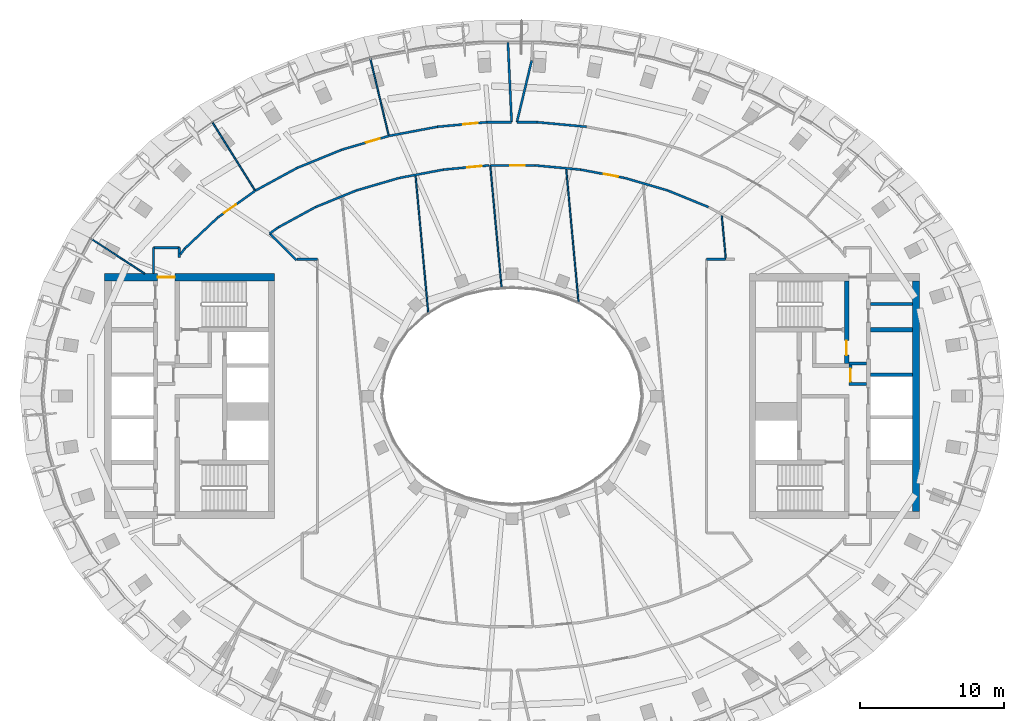
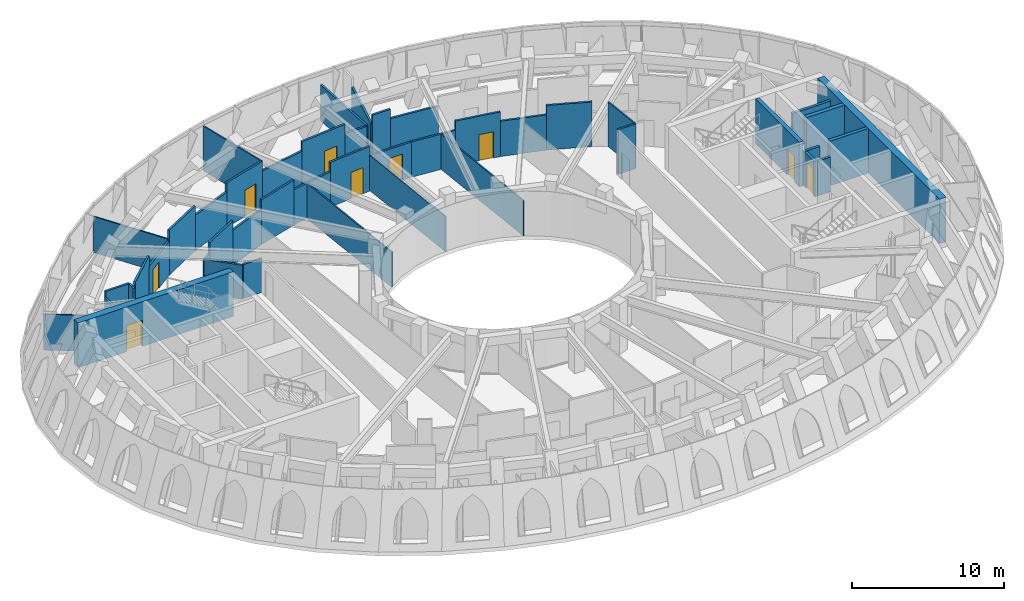
# One storey, part 6 of 14: 46 walls, 9 doors, 9 openings.
"""IFC4 building model written with IfcOpenShell, lengths in metres."""

import ifcopenshell
import ifcopenshell.guid

model = None  # the IFC model being written
_history = None  # IfcOwnerHistory: only IFC2X3 demands one
_inside = {}  # id of a spatial element -> (the spatial element, [elements in it])
_under = {}  # id of a project, library or spatial element -> (it, [spatial elements below it])
_declared = {}  # id of a project -> (the project, [libraries it declares])
_typed = {}  # id of a type object -> (the type object, [elements of that type])
_made_of = {}  # id of a material, layer set ... -> (it, [elements and type objects made of it])


def new_model(schema):
    """Start an empty IFC model of exactly this schema.

    Asked for "IFC4X3", IfcOpenShell would pick the latest addendum, in which some entities
    have other attributes; the version numbers below select the first issue.
    IFC2X3 requires an IfcOwnerHistory on every rooted entity: one is made here for all.
    """
    global model, _history
    if schema == "IFC4X3":
        model = ifcopenshell.file(schema_version=(4, 3, 0, 0))
    else:
        model = ifcopenshell.file(schema=schema)
    _inside.clear()
    _under.clear()
    _declared.clear()
    _typed.clear()
    _made_of.clear()
    _history = None
    if model.schema == "IFC2X3":
        org = make("IfcOrganization", Name="unknown")
        user = make(
            "IfcPersonAndOrganization",
            ThePerson=make("IfcPerson", FamilyName="unknown"),
            TheOrganization=org,
        )
        app = make(
            "IfcApplication",
            ApplicationDeveloper=org,
            Version="unknown",
            ApplicationFullName="unknown",
            ApplicationIdentifier="unknown",
        )
        _history = make(
            "IfcOwnerHistory",
            OwningUser=user,
            OwningApplication=app,
            ChangeAction="ADDED",
            CreationDate=0,
        )
    return model


def make(cls, **values):
    """One entity of the class cls with the attributes given. An attribute that is None is left unset."""
    return model.create_entity(
        cls, **{name: value for name, value in values.items() if value is not None}
    )


def rooted(cls, **values):
    """An entity with a GlobalId (a new one), such as an element, a storey or a relation."""
    return make(cls, GlobalId=ifcopenshell.guid.new(), OwnerHistory=_history, **values)


def si_unit(unit_type, name, prefix=None):
    """IfcSIUnit, for example si_unit("LENGTHUNIT", "METRE", prefix="MILLI")."""
    return make("IfcSIUnit", UnitType=unit_type, Prefix=prefix, Name=name)


def assignment(units):
    """IfcUnitAssignment: the units of a project."""
    return None if units is None else make("IfcUnitAssignment", Units=units)


def point(xyz):
    """IfcCartesianPoint."""
    return None if xyz is None else make("IfcCartesianPoint", Coordinates=xyz)


def direction(xyz):
    """IfcDirection."""
    return None if xyz is None else make("IfcDirection", DirectionRatios=xyz)


def frame(location, z_axis=None, x_axis=None):
    """IfcAxis2Placement3D, a coordinate frame: its origin and axes. An axis left out is left unset."""
    return make(
        "IfcAxis2Placement3D",
        Location=point(location),
        Axis=direction(z_axis),
        RefDirection=direction(x_axis),
    )


def frame_2d(location, x_axis=None):
    """IfcAxis2Placement2D, a coordinate frame in the plane: its origin and x axis."""
    return make(
        "IfcAxis2Placement2D", Location=point(location), RefDirection=direction(x_axis)
    )


def origin():
    """The frame at (0, 0, 0) with its axes left unset."""
    return frame((0.0, 0.0, 0.0))


def place(relative_to, where):
    """IfcLocalPlacement: puts the frame where relative to a parent placement (None: the world)."""
    return make(
        "IfcLocalPlacement", PlacementRelTo=relative_to, RelativePlacement=where
    )


def context(
    kind, dimensions, precision=None, world=None, true_north=None, identifier=None
):
    """IfcGeometricRepresentationContext, for example the 3D "Model" context."""
    return make(
        "IfcGeometricRepresentationContext",
        ContextIdentifier=identifier,
        ContextType=kind,
        CoordinateSpaceDimension=dimensions,
        Precision=precision,
        WorldCoordinateSystem=world,
        TrueNorth=true_north,
    )


def subcontext(parent, identifier, kind, view, scale=None):
    """IfcGeometricRepresentationSubContext, for example "Body" below "Model"."""
    return make(
        "IfcGeometricRepresentationSubContext",
        ContextIdentifier=identifier,
        ContextType=kind,
        ParentContext=parent,
        TargetScale=scale,
        TargetView=view,
    )


def project(units=None, contexts=None):
    """IfcProject with its units and contexts."""
    return rooted(
        "IfcProject",
        Name="project",
        RepresentationContexts=contexts,
        UnitsInContext=assignment(units),
    )


def spatial(cls, under=None, at=None, **own):
    """A site, building, storey or space (cls), placed at a placement, below another one or the project."""
    s = rooted(cls, ObjectPlacement=at, **own)
    if under is not None:
        _under.setdefault(under.id(), (under, []))[1].append(s)
    return s


def profile(cls, at=None, kind="AREA", **sizes):
    """A parametric profile (cls). Its sizes go by their IFC names, for example OverallWidth=200.0."""
    return make(cls, ProfileType=kind, Position=at, **sizes)


def rectangle(**sizes):
    """IfcRectangleProfileDef."""
    return profile("IfcRectangleProfileDef", **sizes)


def extrude(swept, where, along, depth):
    """IfcExtrudedAreaSolid: the profile swept, set in the frame where, extruded along a direction by depth."""
    return make(
        "IfcExtrudedAreaSolid",
        SweptArea=swept,
        Position=where,
        ExtrudedDirection=direction(along),
        Depth=depth,
    )


def shape(context_of_items, identifier, shape_type, items):
    """IfcShapeRepresentation: the items that make up one representation, for example the "Body"."""
    return make(
        "IfcShapeRepresentation",
        ContextOfItems=context_of_items,
        RepresentationIdentifier=identifier,
        RepresentationType=shape_type,
        Items=items,
    )


def material(Name=None, Category=None):
    """IfcMaterial."""
    return make("IfcMaterial", Name=Name, Category=Category)


def layer(
    of_material, thickness, ventilated=None, Name=None, Category=None, Priority=None
):
    """IfcMaterialLayer: one layer of a wall or slab, of a material (None: an air gap)."""
    return make(
        "IfcMaterialLayer",
        Material=of_material,
        LayerThickness=thickness,
        IsVentilated=ventilated,
        Name=Name,
        Category=Category,
        Priority=Priority,
    )


def layer_set(layers, Name=None):
    """IfcMaterialLayerSet."""
    return make("IfcMaterialLayerSet", MaterialLayers=layers, LayerSetName=Name)


def made_of(thing, what):
    """Note that an element or type object is made of a material, layer set ...; save() writes the relation."""
    if what is not None:
        _made_of.setdefault(what.id(), (what, []))[1].append(thing)
    return thing


def type_object(cls, material=None, **own):
    """A type object (cls), such as IfcWallType, which elements share."""
    return made_of(rooted(cls, **own), material)


def element(
    cls,
    number,
    at=None,
    inside=None,
    cuts=None,
    type_object=None,
    material=None,
    context=None,
    identifier="Body",
    shape_type=None,
    held_by="IfcProductDefinitionShape",
    body=None,
    shapes=None,
    **own,
):
    """One element of the class cls, such as IfcWall. Its Tag is "e" and its number.

    at: its placement. inside: the storey or other place that contains it. cuts: it is an
    opening in that element (IfcRelVoidsElement). A single representation is given by context,
    identifier, shape_type and body (its items); several are given by shapes. held_by: the class
    of the entity that holds the representations. save() writes the other relations.
    """
    e = rooted(cls, Tag="e%d" % number, ObjectPlacement=at, **own)
    if body is not None:
        shapes = [shape(context, identifier, shape_type, body)]
    if shapes is not None:
        e.Representation = make(held_by, Representations=shapes)
    if inside is not None:
        _inside.setdefault(inside.id(), (inside, []))[1].append(e)
    if cuts is not None:
        rooted(
            "IfcRelVoidsElement", RelatingBuildingElement=cuts, RelatedOpeningElement=e
        )
    if type_object is not None:
        _typed.setdefault(type_object.id(), (type_object, []))[1].append(e)
    return made_of(e, material)


def fill(opening, filler):
    """IfcRelFillsElement: the door or window that sits in an opening."""
    return rooted(
        "IfcRelFillsElement",
        RelatingOpeningElement=opening,
        RelatedBuildingElement=filler,
    )


def aggregate(whole, parts):
    """IfcRelAggregates: a whole, such as a stair, and the parts it consists of."""
    return rooted("IfcRelAggregates", RelatingObject=whole, RelatedObjects=parts)


def save(model, path):
    """Write the relations noted so far, then the file.

    IfcRelAggregates (storeys below a building ...), IfcRelContainedInSpatialStructure (elements
    in a storey), IfcRelDefinesByType, IfcRelAssociatesMaterial and IfcRelDeclares: one each for
    every whole, place, type object, material and project.
    """
    for whole, parts in _under.values():
        aggregate(whole, parts)
    for where, things in _inside.values():
        rooted(
            "IfcRelContainedInSpatialStructure",
            RelatedElements=things,
            RelatingStructure=where,
        )
    for kind, things in _typed.values():
        rooted("IfcRelDefinesByType", RelatedObjects=things, RelatingType=kind)
    for what, things in _made_of.values():
        rooted("IfcRelAssociatesMaterial", RelatedObjects=things, RelatingMaterial=what)
    for by, libraries in _declared.values():
        rooted("IfcRelDeclares", RelatingContext=by, RelatedDefinitions=libraries)
    model.write(path)


model = new_model("IFC4")

# Units and contexts
model_context = context("Model", 3, precision=1e-05, world=origin(), true_north=direction((0.0, 1.0)))
body_context = subcontext(model_context, "Body", "Model", "MODEL_VIEW")
ifc_project = project(units=[si_unit("LENGTHUNIT", "METRE"), si_unit("AREAUNIT", "SQUARE_METRE"), si_unit("VOLUMEUNIT", "CUBIC_METRE"), si_unit("PLANEANGLEUNIT", "RADIAN"), si_unit("MASSUNIT", "GRAM", prefix="KILO")], contexts=[model_context])

# Site, building, storey
site_placement = place(None, origin())
site = spatial("IfcSite", under=ifc_project, at=site_placement, CompositionType="ELEMENT")
building_placement = place(site_placement, origin())
building = spatial("IfcBuilding", under=site, at=building_placement, Name="Noorbagh Ring Tower", CompositionType="ELEMENT")
storey_placement = place(building_placement, frame((0.0, 0.0, 343.0)))
storey = spatial("IfcBuildingStorey", under=building, at=storey_placement, Name="L75", CompositionType="ELEMENT", Elevation=343.0)

# Walls
ifc_material_1 = material(Name="Gypsum board on steel studs", Category="steel")
ifc_layer_1 = layer(ifc_material_1, 0.199951171875)
ifc_layer_set_1 = layer_set([ifc_layer_1], Name="Gypsum board on steel studs")
wall_type_1 = type_object("IfcWallType", Name="CORE-PARTITION-200", PredefinedType="PARTITIONING", material=ifc_layer_set_1)
for number, where, z_axis, x_axis, name in (
    (1, (23.39990234375, 0.85009765625, 0.0), (0.0, 0.0, 1.0), (1.0, 0.0, 0.0), "Core partition E"),
    (2, (23.39990234375, 2.25, 0.0), (0.0, 0.0, 1.0), (1.0, 0.0, 0.0), "Core partition E"),
):
    element("IfcWall", number, at=place(storey_placement, frame(where, z_axis=z_axis, x_axis=x_axis)), inside=storey, type_object=wall_type_1, Name=name, PredefinedType="PARTITIONING", context=body_context, shape_type="SweptSolid", body=[
        extrude(rectangle(XDim=1.2001953125, YDim=0.199951171875, at=frame_2d((0.60009765625, 0.0))), origin(), (0.0, 0.0, 1.0), 2.780029296875),
    ])

# Wall, opening, door
wall_1_placement = place(storey_placement, frame((23.5, 0.75, 0.0), z_axis=(0.0, 0.0, 1.0), x_axis=(0.0, 1.0, 0.0)))
wall_1 = element("IfcWall", 3, at=wall_1_placement, inside=storey, type_object=wall_type_1, Name="Core partition E", PredefinedType="PARTITIONING", context=body_context, shape_type="SweptSolid", body=[
    extrude(rectangle(XDim=1.60009765625, YDim=0.199951171875, at=frame_2d((0.800048828125, 0.0))), origin(), (0.0, 0.0, 1.0), 2.780029296875),
])
opening_1_placement = place(wall_1_placement, frame((0.25, 0.0, 0.0)))
opening_1 = element("IfcOpeningElement", 4, at=opening_1_placement, cuts=wall_1, Name="Opening L75-CE15", PredefinedType="OPENING", context=body_context, shape_type="SweptSolid", body=[
    extrude(rectangle(XDim=0.89990234375, YDim=2.10009765625, at=frame_2d((0.449951171875, 1.050048828125))), frame((0.0, 0.10986328125, 0.0), z_axis=(0.0, -1.0, 0.0), x_axis=(1.0, 0.0, 0.0)), (0.0, 0.0, 1.0), 0.219970703125),
])
ifc_material_2 = material(Name="Steel door leaf", Category="steel")
door_type_1 = type_object("IfcDoorType", Name="CORE-DOOR-DROOM", OperationType="SINGLE_SWING_LEFT", PredefinedType="DOOR", material=ifc_material_2)
door_1_placement = place(opening_1_placement, origin())
door_1 = element("IfcDoor", 5, at=door_1_placement, inside=storey, type_object=door_type_1, Name="Core room door L75-CE15", OperationType="SINGLE_SWING_LEFT", OverallHeight=2.10009765625, OverallWidth=0.89990234375, PredefinedType="DOOR", context=body_context, shape_type="SweptSolid", body=[
    extrude(rectangle(XDim=0.89990234375, YDim=2.10009765625, at=frame_2d((0.449951171875, 1.050048828125))), frame((0.0, 0.02490234375, 0.0), z_axis=(0.0, -1.0, 0.0), x_axis=(1.0, 0.0, 0.0)), (0.0, 0.0, 1.0), 0.050048828125),
])
fill(opening_1, door_1)

# Walls
wall_2_placement = place(storey_placement, frame((24.89990234375, 6.39990234375, 0.0), z_axis=(0.0, 0.0, 1.0), x_axis=(1.0, 0.0, 0.0)))
element("IfcWall", 6, at=wall_2_placement, inside=storey, type_object=wall_type_1, Name="Core partition E", PredefinedType="PARTITIONING", context=body_context, shape_type="SweptSolid", body=[
    extrude(rectangle(XDim=2.900146484375, YDim=0.199951171875, at=frame_2d((1.4501953125, 0.0))), origin(), (0.0, 0.0, 1.0), 2.780029296875),
])
ifc_material_3 = material(Name="Concrete C50/60", Category="concrete")
ifc_layer_2 = layer(ifc_material_3, 0.25)
ifc_layer_set_2 = layer_set([ifc_layer_2], Name="Concrete C50/60")
wall_type_2 = type_object("IfcWallType", Name="CORE-WALL-250-C50-60-EI120", PredefinedType="SHEAR", material=ifc_layer_set_2)
wall_3_placement = place(storey_placement, frame((24.89990234375, 1.47509765625, 0.0), z_axis=(0.0, 0.0, 1.0), x_axis=(1.0, 0.0, 0.0)))
element("IfcWall", 7, at=wall_3_placement, inside=storey, type_object=wall_type_2, Name="Core wall E", PredefinedType="SHEAR", context=body_context, shape_type="SweptSolid", body=[
    extrude(rectangle(XDim=2.900146484375, YDim=0.25, at=frame_2d((1.4501953125, 0.0))), origin(), (0.0, 0.0, 1.0), 3.580078125),
])
ifc_material_4 = material(Name="Concrete C50/60", Category="concrete")
ifc_layer_3 = layer(ifc_material_4, 0.300048828125)
ifc_layer_set_3 = layer_set([ifc_layer_3], Name="Concrete C50/60")
wall_type_3 = type_object("IfcWallType", Name="CORE-WALL-300-C50-60-EI240", PredefinedType="SHEAR", material=ifc_layer_set_3)
wall_4_placement = place(storey_placement, frame((24.89990234375, 4.60009765625, 0.0), z_axis=(0.0, 0.0, 1.0), x_axis=(1.0, 0.0, 0.0)))
element("IfcWall", 8, at=wall_4_placement, inside=storey, type_object=wall_type_3, Name="Core wall E", PredefinedType="SHEAR", context=body_context, shape_type="SweptSolid", body=[
    extrude(rectangle(XDim=2.900146484375, YDim=0.300048828125, at=frame_2d((1.4501953125, 0.0))), origin(), (0.0, 0.0, 1.0), 3.580078125),
])

# Wall, opening, door
wall_5_placement = place(storey_placement, frame((23.22998046875, 2.25, 0.0), z_axis=(0.0, 0.0, 1.0), x_axis=(0.0, 1.0, 0.0)))
wall_5 = element("IfcWall", 9, at=wall_5_placement, inside=storey, type_object=wall_type_3, Name="Core wall E", PredefinedType="SHEAR", context=body_context, shape_type="SweptSolid", body=[
    extrude(rectangle(XDim=5.75, YDim=0.300048828125, at=frame_2d((2.875, 0.0))), origin(), (0.0, 0.0, 1.0), 3.580078125),
])
opening_2_placement = place(wall_5_placement, frame((0.60009765625, 0.0, 0.0)))
opening_2 = element("IfcOpeningElement", 10, at=opening_2_placement, cuts=wall_5, Name="Opening L75-CE07", PredefinedType="OPENING", context=body_context, shape_type="SweptSolid", body=[
    extrude(rectangle(XDim=1.0, YDim=2.10009765625, at=frame_2d((0.5, 1.050048828125))), frame((0.0, 0.16015625, 0.0), z_axis=(0.0, -1.0, 0.0), x_axis=(1.0, 0.0, 0.0)), (0.0, 0.0, 1.0), 0.320068359375),
])
ifc_material_5 = material(Name="Steel door leaf", Category="steel")
door_type_2 = type_object("IfcDoorType", Name="CORE-DOOR-DVEST", OperationType="SINGLE_SWING_LEFT", PredefinedType="DOOR", material=ifc_material_5)
door_2_placement = place(opening_2_placement, origin())
door_2 = element("IfcDoor", 11, at=door_2_placement, inside=storey, type_object=door_type_2, Name="Stair vestibule door L75-CE07", OperationType="SINGLE_SWING_RIGHT", OverallHeight=2.10009765625, OverallWidth=1.0, PredefinedType="DOOR", context=body_context, shape_type="SweptSolid", body=[
    extrude(rectangle(XDim=1.0, YDim=2.10009765625, at=frame_2d((0.5, 1.050048828125))), frame((0.0, 0.02490234375, 0.0), z_axis=(0.0, -1.0, 0.0), x_axis=(1.0, 0.0, 0.0)), (0.0, 0.0, 1.0), 0.050048828125),
])
fill(opening_2, door_2)

ifc_material_6 = material(Name="Concrete C50/60", Category="concrete")
ifc_layer_4 = layer(ifc_material_6, 0.5)
ifc_layer_set_4 = layer_set([ifc_layer_4], Name="Concrete C50/60")
wall_type_4 = type_object("IfcWallType", Name="CORE-WALL-500-C50-60-EI240", PredefinedType="SHEAR", material=ifc_layer_set_4)
wall_6_placement = place(storey_placement, frame((-16.5, 8.25, 0.0), z_axis=(0.0, 0.0, 1.0), x_axis=(-1.0, 0.0, 0.0)))
wall_6 = element("IfcWall", 12, at=wall_6_placement, inside=storey, type_object=wall_type_4, Name="Core wall W", PredefinedType="SHEAR", context=body_context, shape_type="SweptSolid", body=[
    extrude(rectangle(XDim=11.800048828125, YDim=0.5, at=frame_2d((5.89990234375, 0.0))), origin(), (0.0, 0.0, 1.0), 3.580078125),
])
opening_3_placement = place(wall_6_placement, frame((6.89990234375, 0.0, 0.0)))
opening_3 = element("IfcOpeningElement", 13, at=opening_3_placement, cuts=wall_6, Name="Opening L75-CW09", PredefinedType="OPENING", context=body_context, shape_type="SweptSolid", body=[
    extrude(rectangle(XDim=1.199951171875, YDim=2.10009765625, at=frame_2d((0.60009765625, 1.050048828125))), frame((0.0, 0.260009765625, 0.0), z_axis=(0.0, -1.0, 0.0), x_axis=(1.0, 0.0, 0.0)), (0.0, 0.0, 1.0), 0.52001953125),
])
ifc_material_7 = material(Name="Steel door leaf", Category="steel")
door_type_3 = type_object("IfcDoorType", Name="CORE-DOOR-PORT", OperationType="DOUBLE_DOOR_DOUBLE_SWING", PredefinedType="DOOR", material=ifc_material_7)
door_3_placement = place(opening_3_placement, origin())
door_3 = element("IfcDoor", 14, at=door_3_placement, inside=storey, type_object=door_type_3, Name="Core entrance door L75-CW09", OperationType="DOUBLE_DOOR_DOUBLE_SWING", OverallHeight=2.10009765625, OverallWidth=1.199951171875, PredefinedType="DOOR", context=body_context, shape_type="SweptSolid", body=[
    extrude(rectangle(XDim=1.199951171875, YDim=2.10009765625, at=frame_2d((0.60009765625, 1.050048828125))), frame((0.0, 0.02490234375, 0.0), z_axis=(0.0, -1.0, 0.0), x_axis=(1.0, 0.0, 0.0)), (0.0, 0.0, 1.0), 0.050048828125),
])
fill(opening_3, door_3)

# Walls
wall_7_placement = place(storey_placement, frame((28.050048828125, -8.0, 0.0), z_axis=(0.0, 0.0, 1.0), x_axis=(0.0, 1.0, 0.0)))
element("IfcWall", 15, at=wall_7_placement, inside=storey, type_object=wall_type_4, Name="Core wall E", PredefinedType="SHEAR", context=body_context, shape_type="SweptSolid", body=[
    extrude(rectangle(XDim=16.0, YDim=0.5, at=frame_2d((8.0, 0.0))), origin(), (0.0, 0.0, 1.0), 3.580078125),
])
ifc_material_8 = material(Name="Gypsum board on steel studs", Category="steel")
ifc_layer_5 = layer(ifc_material_8, 0.14990234375)
ifc_layer_set_5 = layer_set([ifc_layer_5], Name="Gypsum board on steel studs")
wall_type_5 = type_object("IfcWallType", Name="CORRIDOR PARTITION 150 EI 30", PredefinedType="PARTITIONING", material=ifc_layer_set_5)
wall_8_placement = place(storey_placement, frame((-24.89990234375, 8.5, 0.0), z_axis=(0.0, 0.0, 1.0), x_axis=(0.0, 1.0, 0.0)))
element("IfcWall", 16, at=wall_8_placement, inside=storey, type_object=wall_type_5, Name="L75/wall/P04", PredefinedType="PARTITIONING", context=body_context, shape_type="SweptSolid", body=[
    extrude(rectangle(XDim=1.800048828125, YDim=0.14990234375, at=frame_2d((0.89990234375, 0.0))), origin(), (0.0, 0.0, 1.0), 3.080078125),
])
wall_9_placement = place(storey_placement, frame((-24.89990234375, 10.300048828125, 0.0), z_axis=(0.0, 0.0, 1.0), x_axis=(1.0, 0.0, 0.0)))
element("IfcWall", 17, at=wall_9_placement, inside=storey, type_object=wall_type_5, Name="L75/wall/P05", PredefinedType="PARTITIONING", context=body_context, shape_type="SweptSolid", body=[
    extrude(rectangle(XDim=1.7998046875, YDim=0.14990234375, at=frame_2d((0.89990234375, 0.0))), origin(), (0.0, 0.0, 1.0), 3.580078125),
])
wall_10_placement = place(storey_placement, frame((-23.10009765625, 9.6240234375, 0.0), z_axis=(0.0, 0.0, 1.0), x_axis=(0.0, 1.0, 0.0)))
element("IfcWall", 18, at=wall_10_placement, inside=storey, type_object=wall_type_5, Name="L75/wall/P08", PredefinedType="PARTITIONING", context=body_context, shape_type="SweptSolid", body=[
    extrude(rectangle(XDim=0.676025390625, YDim=0.14990234375, at=frame_2d((0.337890625, 0.0))), origin(), (0.0, 0.0, 1.0), 3.580078125),
])
wall_11_placement = place(storey_placement, frame((-23.02490234375, 9.842041015625, 0.0), z_axis=(0.0, 0.0, 1.0), x_axis=(0.615025888574, 0.788506915876, 0.0)))
element("IfcWall", 19, at=wall_11_placement, inside=storey, type_object=wall_type_5, Name="L75/wall/P09", PredefinedType="PARTITIONING", context=body_context, shape_type="SweptSolid", body=[
    extrude(rectangle(XDim=0.513671875, YDim=0.14990234375, at=frame_2d((0.2568359375, 0.0))), origin(), (0.0, 0.0, 1.0), 3.580078125),
])
wall_12_placement = place(storey_placement, frame((-22.708984375, 10.2470703125, 0.0), z_axis=(0.0, 0.0, 1.0), x_axis=(0.727525716883, 0.686080411668, 0.0)))
element("IfcWall", 20, at=wall_12_placement, inside=storey, type_object=wall_type_5, Name="L75/wall/P11", PredefinedType="PARTITIONING", context=body_context, shape_type="SweptSolid", body=[
    extrude(rectangle(XDim=3.1162109375, YDim=0.14990234375, at=frame_2d((1.55810546875, 0.0))), origin(), (0.0, 0.0, 1.0), 3.580078125),
])

# Wall, opening, door
wall_13_placement = place(storey_placement, frame((-20.44189453125, 12.385009765625, 0.0), z_axis=(0.0, 0.0, 1.0), x_axis=(0.813459828113, 0.581621103508, 0.0)))
wall_13 = element("IfcWall", 21, at=wall_13_placement, inside=storey, type_object=wall_type_5, Name="L75/wall/P15", PredefinedType="PARTITIONING", context=body_context, shape_type="SweptSolid", body=[
    extrude(rectangle(XDim=3.196044921875, YDim=0.14990234375, at=frame_2d((1.59814453125, 0.0))), origin(), (0.0, 0.0, 1.0), 2.72998046875),
])
opening_4_placement = place(wall_13_placement, frame((0.566162109375, 0.0, 0.0)))
opening_4 = element("IfcOpeningElement", 22, at=opening_4_placement, cuts=wall_13, Name="Opening D1", PredefinedType="OPENING", context=body_context, shape_type="SweptSolid", body=[
    extrude(rectangle(XDim=1.0, YDim=2.10009765625, at=frame_2d((0.5, 1.050048828125))), frame((0.0, 0.0849609375, 0.0), z_axis=(0.0, -1.0, 0.0), x_axis=(1.0, 0.0, 0.0)), (0.0, 0.0, 1.0), 0.169921875),
])
ifc_material_9 = material(Name="Timber, painted", Category="wood")
door_type_4 = type_object("IfcDoorType", Name="DOOR 1000 X 2100 FD30", OperationType="SINGLE_SWING_LEFT", PredefinedType="DOOR", material=ifc_material_9)
door_4_placement = place(opening_4_placement, origin())
door_4 = element("IfcDoor", 23, at=door_4_placement, inside=storey, type_object=door_type_4, Name="L75-D06", OperationType="SINGLE_SWING_RIGHT", OverallHeight=2.10009765625, OverallWidth=1.0, PredefinedType="DOOR", context=body_context, shape_type="SweptSolid", body=[
    extrude(rectangle(XDim=1.0, YDim=2.10009765625, at=frame_2d((0.5, 1.050048828125))), frame((0.0, 0.02490234375, 0.0), z_axis=(0.0, -1.0, 0.0), x_axis=(1.0, 0.0, 0.0)), (0.0, 0.0, 1.0), 0.050048828125),
])
fill(opening_4, door_4)

# Walls
wall_14_placement = place(storey_placement, frame((-17.80810546875, 14.26611328125, 0.0), z_axis=(0.0, 0.0, 1.0), x_axis=(0.87828249697, 0.478142087162, 0.0)))
element("IfcWall", 24, at=wall_14_placement, inside=storey, type_object=wall_type_5, Name="L75/wall/P19", PredefinedType="PARTITIONING", context=body_context, shape_type="SweptSolid", body=[
    extrude(rectangle(XDim=3.277099609375, YDim=0.14990234375, at=frame_2d((1.638671875, 0.0))), origin(), (0.0, 0.0, 1.0), 3.580078125),
])
wall_15_placement = place(storey_placement, frame((-16.825927734375, 11.282958984375, 0.0), z_axis=(0.0, 0.0, 1.0), x_axis=(0.81350822877, 0.581553404016, 0.0)))
element("IfcWall", 25, at=wall_15_placement, inside=storey, type_object=wall_type_5, Name="L75/wall/P21", PredefinedType="PARTITIONING", context=body_context, shape_type="SweptSolid", body=[
    extrude(rectangle(XDim=0.732666015625, YDim=0.14990234375, at=frame_2d((0.3662109375, 0.0))), origin(), (0.0, 0.0, 1.0), 2.72998046875),
])
wall_16_placement = place(storey_placement, frame((-16.825927734375, 11.282958984375, 0.0), z_axis=(0.0, 0.0, 1.0), x_axis=(0.707292641811, -0.706920871697, 0.0)))
element("IfcWall", 26, at=wall_16_placement, inside=storey, type_object=wall_type_5, Name="L75/wall/P22", PredefinedType="PARTITIONING", context=body_context, shape_type="SweptSolid", body=[
    extrude(rectangle(XDim=2.626708984375, YDim=0.14990234375, at=frame_2d((1.3134765625, 0.0))), origin(), (0.0, 0.0, 1.0), 2.72998046875),
])
wall_17_placement = place(storey_placement, frame((-16.22998046875, 11.708984375, 0.0), z_axis=(0.0, 0.0, 1.0), x_axis=(0.878132912292, 0.478416751744, 0.0)))
element("IfcWall", 27, at=wall_17_placement, inside=storey, type_object=wall_type_5, Name="L75/wall/P23", PredefinedType="PARTITIONING", context=body_context, shape_type="SweptSolid", body=[
    extrude(rectangle(XDim=2.947021484375, YDim=0.14990234375, at=frame_2d((1.4736328125, 0.0))), origin(), (0.0, 0.0, 1.0), 3.580078125),
])
wall_18_placement = place(storey_placement, frame((-14.93798828125, 9.5, 0.0), z_axis=(0.0, 0.0, 1.0), x_axis=(1.0, 0.0, 0.0)))
element("IfcWall", 28, at=wall_18_placement, inside=storey, type_object=wall_type_5, Name="L75/wall/P24", PredefinedType="PARTITIONING", context=body_context, shape_type="SweptSolid", body=[
    extrude(rectangle(XDim=1.43798828125, YDim=0.14990234375, at=frame_2d((0.718994140625, 0.0))), origin(), (0.0, 0.0, 1.0), 2.72998046875),
])
wall_19_placement = place(storey_placement, frame((-14.929931640625, 15.8330078125, 0.0), z_axis=(0.0, 0.0, 1.0), x_axis=(0.925817550032, 0.377970718511, 0.0)))
element("IfcWall", 29, at=wall_19_placement, inside=storey, type_object=wall_type_5, Name="L75/wall/P26", PredefinedType="PARTITIONING", context=body_context, shape_type="SweptSolid", body=[
    extrude(rectangle(XDim=3.360107421875, YDim=0.14990234375, at=frame_2d((1.68017578125, 0.0))), origin(), (0.0, 0.0, 1.0), 2.830078125),
])
wall_20_placement = place(storey_placement, frame((-13.64208984375, 13.118896484375, 0.0), z_axis=(0.0, 0.0, 1.0), x_axis=(0.925843627356, 0.377906837307, 0.0)))
element("IfcWall", 30, at=wall_20_placement, inside=storey, type_object=wall_type_5, Name="L75/wall/P32", PredefinedType="PARTITIONING", context=body_context, shape_type="SweptSolid", body=[
    extrude(rectangle(XDim=3.038330078125, YDim=0.14990234375, at=frame_2d((1.51904296875, 0.0))), origin(), (0.0, 0.0, 1.0), 2.830078125),
])

# Wall, opening, door
wall_21_placement = place(storey_placement, frame((-11.819091796875, 17.10302734375, 0.0), z_axis=(0.0, 0.0, 1.0), x_axis=(0.959838329033, 0.2805537063, 0.0)))
wall_21 = element("IfcWall", 31, at=wall_21_placement, inside=storey, type_object=wall_type_5, Name="L75/wall/P35", PredefinedType="PARTITIONING", context=body_context, shape_type="SweptSolid", body=[
    extrude(rectangle(XDim=3.385986328125, YDim=0.14990234375, at=frame_2d((1.69287109375, 0.0))), origin(), (0.0, 0.0, 1.0), 3.580078125),
])
opening_5_placement = place(wall_21_placement, frame((1.755859375, 0.0, 0.0)))
opening_5 = element("IfcOpeningElement", 32, at=opening_5_placement, cuts=wall_21, Name="Opening D1", PredefinedType="OPENING", context=body_context, shape_type="SweptSolid", body=[
    extrude(rectangle(XDim=1.0, YDim=2.10009765625, at=frame_2d((0.5, 1.050048828125))), frame((0.0, 0.0849609375, 0.0), z_axis=(0.0, -1.0, 0.0), x_axis=(1.0, 0.0, 0.0)), (0.0, 0.0, 1.0), 0.169921875),
])
door_5_placement = place(opening_5_placement, origin())
door_5 = element("IfcDoor", 33, at=door_5_placement, inside=storey, type_object=door_type_4, Name="L75-D07", OperationType="SINGLE_SWING_LEFT", OverallHeight=2.10009765625, OverallWidth=1.0, PredefinedType="DOOR", context=body_context, shape_type="SweptSolid", body=[
    extrude(rectangle(XDim=1.0, YDim=2.10009765625, at=frame_2d((0.5, 1.050048828125))), frame((0.0, 0.02490234375, 0.0), z_axis=(0.0, -1.0, 0.0), x_axis=(1.0, 0.0, 0.0)), (0.0, 0.0, 1.0), 0.050048828125),
])
fill(opening_5, door_5)

# Walls
wall_22_placement = place(storey_placement, frame((-10.8291015625, 14.26708984375, 0.0), z_axis=(0.0, 0.0, 1.0), x_axis=(0.959853665629, 0.280501230976, 0.0)))
element("IfcWall", 34, at=wall_22_placement, inside=storey, type_object=wall_type_5, Name="L75/wall/P38", PredefinedType="PARTITIONING", context=body_context, shape_type="SweptSolid", body=[
    extrude(rectangle(XDim=3.104736328125, YDim=0.14990234375, at=frame_2d((1.55224609375, 0.0))), origin(), (0.0, 0.0, 1.0), 3.580078125),
])
wall_23_placement = place(storey_placement, frame((-8.530029296875, 18.06298828125, 0.0), z_axis=(0.0, 0.0, 1.0), x_axis=(0.982688905664, 0.18526336574, 0.0)))
element("IfcWall", 35, at=wall_23_placement, inside=storey, type_object=wall_type_5, Name="L75/wall/P43", PredefinedType="PARTITIONING", context=body_context, shape_type="SweptSolid", body=[
    extrude(rectangle(XDim=3.4169921875, YDim=0.14990234375, at=frame_2d((1.70849609375, 0.0))), origin(), (0.0, 0.0, 1.0), 2.830078125),
])
wall_24_placement = place(storey_placement, frame((-7.84912109375, 15.137939453125, 0.0), z_axis=(0.0, 0.0, 1.0), x_axis=(0.982662719518, 0.185402210529, 0.0)))
element("IfcWall", 36, at=wall_24_placement, inside=storey, type_object=wall_type_5, Name="L75/wall/P45", PredefinedType="PARTITIONING", context=body_context, shape_type="SweptSolid", body=[
    extrude(rectangle(XDim=3.14990234375, YDim=0.14990234375, at=frame_2d((1.574951171875, 0.0))), origin(), (0.0, 0.0, 1.0), 2.830078125),
])

# Wall, opening, door
wall_25_placement = place(storey_placement, frame((-5.172119140625, 18.696044921875, 0.0), z_axis=(0.0, 0.0, 1.0), x_axis=(0.995734786984, 0.09226176884, 0.0)))
wall_25 = element("IfcWall", 37, at=wall_25_placement, inside=storey, type_object=wall_type_5, Name="L75/wall/P48", PredefinedType="PARTITIONING", context=body_context, shape_type="SweptSolid", body=[
    extrude(rectangle(XDim=3.455810546875, YDim=0.14990234375, at=frame_2d((1.72802734375, 0.0))), origin(), (0.0, 0.0, 1.0), 3.580078125),
])
opening_6_placement = place(wall_25_placement, frame((1.805908203125, 0.0, 0.0)))
opening_6 = element("IfcOpeningElement", 38, at=opening_6_placement, cuts=wall_25, Name="Opening D1", PredefinedType="OPENING", context=body_context, shape_type="SweptSolid", body=[
    extrude(rectangle(XDim=1.0, YDim=2.10009765625, at=frame_2d((0.5, 1.050048828125))), frame((0.0, 0.0849609375, 0.0), z_axis=(0.0, -1.0, 0.0), x_axis=(1.0, 0.0, 0.0)), (0.0, 0.0, 1.0), 0.169921875),
])
door_6_placement = place(opening_6_placement, origin())
door_6 = element("IfcDoor", 39, at=door_6_placement, inside=storey, type_object=door_type_4, Name="L75-D09", OperationType="SINGLE_SWING_LEFT", OverallHeight=2.10009765625, OverallWidth=1.0, PredefinedType="DOOR", context=body_context, shape_type="SweptSolid", body=[
    extrude(rectangle(XDim=1.0, YDim=2.10009765625, at=frame_2d((0.5, 1.050048828125))), frame((0.0, 0.02490234375, 0.0), z_axis=(0.0, -1.0, 0.0), x_axis=(1.0, 0.0, 0.0)), (0.0, 0.0, 1.0), 0.050048828125),
])
fill(opening_6, door_6)

wall_26_placement = place(storey_placement, frame((-4.75390625, 15.721923828125, 0.0), z_axis=(0.0, 0.0, 1.0), x_axis=(0.995734789991, 0.09226173639, 0.0)))
wall_26 = element("IfcWall", 40, at=wall_26_placement, inside=storey, type_object=wall_type_5, Name="L75/wall/P50", PredefinedType="PARTITIONING", context=body_context, shape_type="SweptSolid", body=[
    extrude(rectangle(XDim=3.17529296875, YDim=0.14990234375, at=frame_2d((1.587646484375, 0.0))), origin(), (0.0, 0.0, 1.0), 3.580078125),
])
opening_7_placement = place(wall_26_placement, frame((1.64990234375, 0.0, 0.0)))
opening_7 = element("IfcOpeningElement", 41, at=opening_7_placement, cuts=wall_26, Name="Opening D1", PredefinedType="OPENING", context=body_context, shape_type="SweptSolid", body=[
    extrude(rectangle(XDim=1.0, YDim=2.10009765625, at=frame_2d((0.5, 1.050048828125))), frame((0.0, 0.0849609375, 0.0), z_axis=(0.0, -1.0, 0.0), x_axis=(1.0, 0.0, 0.0)), (0.0, 0.0, 1.0), 0.169921875),
])
door_7_placement = place(opening_7_placement, origin())
door_7 = element("IfcDoor", 42, at=door_7_placement, inside=storey, type_object=door_type_4, Name="L75-D18", OperationType="SINGLE_SWING_RIGHT", OverallHeight=2.10009765625, OverallWidth=1.0, PredefinedType="DOOR", context=body_context, shape_type="SweptSolid", body=[
    extrude(rectangle(XDim=1.0, YDim=2.10009765625, at=frame_2d((0.5, 1.050048828125))), frame((0.0, 0.02490234375, 0.0), z_axis=(0.0, -1.0, 0.0), x_axis=(1.0, 0.0, 0.0)), (0.0, 0.0, 1.0), 0.050048828125),
])
fill(opening_7, door_7)

# Wall
wall_27_placement = place(storey_placement, frame((-1.73095703125, 19.014892578125, 0.0), z_axis=(0.0, 0.0, 1.0), x_axis=(1.0, 0.0, 0.0)))
element("IfcWall", 43, at=wall_27_placement, inside=storey, type_object=wall_type_5, Name="L75/wall/P53", PredefinedType="PARTITIONING", context=body_context, shape_type="SweptSolid", body=[
    extrude(rectangle(XDim=1.683837890625, YDim=0.14990234375, at=frame_2d((0.841796875, 0.0))), origin(), (0.0, 0.0, 1.0), 2.830078125),
])

# Wall, opening, door
wall_28_placement = place(storey_placement, frame((-1.491943359375, 16.014892578125, 0.0), z_axis=(0.0, 0.0, 1.0), x_axis=(1.0, 0.0, 0.0)))
wall_28 = element("IfcWall", 44, at=wall_28_placement, inside=storey, type_object=wall_type_5, Name="L75/wall/P56", PredefinedType="PARTITIONING", context=body_context, shape_type="SweptSolid", body=[
    extrude(rectangle(XDim=3.083984375, YDim=0.14990234375, at=frame_2d((1.5419921875, 0.0))), origin(), (0.0, 0.0, 1.0), 2.830078125),
])
opening_8_placement = place(wall_28_placement, frame((1.3798828125, 0.0, 0.0)))
opening_8 = element("IfcOpeningElement", 45, at=opening_8_placement, cuts=wall_28, Name="Opening D1", PredefinedType="OPENING", context=body_context, shape_type="SweptSolid", body=[
    extrude(rectangle(XDim=1.0, YDim=2.10009765625, at=frame_2d((0.5, 1.050048828125))), frame((0.0, 0.0849609375, 0.0), z_axis=(0.0, -1.0, 0.0), x_axis=(1.0, 0.0, 0.0)), (0.0, 0.0, 1.0), 0.169921875),
])
door_8_placement = place(opening_8_placement, origin())
door_8 = element("IfcDoor", 46, at=door_8_placement, inside=storey, type_object=door_type_4, Name="L75-D20", OperationType="SINGLE_SWING_RIGHT", OverallHeight=2.10009765625, OverallWidth=1.0, PredefinedType="DOOR", context=body_context, shape_type="SweptSolid", body=[
    extrude(rectangle(XDim=1.0, YDim=2.10009765625, at=frame_2d((0.5, 1.050048828125))), frame((0.0, 0.02490234375, 0.0), z_axis=(0.0, -1.0, 0.0), x_axis=(1.0, 0.0, 0.0)), (0.0, 0.0, 1.0), 0.050048828125),
])
fill(opening_8, door_8)

# Walls
wall_29_placement = place(storey_placement, frame((-0.282958984375, 24.56103515625, 0.0), z_axis=(0.0, 0.0, 1.0), x_axis=(0.046118278127, -0.998935986149, 0.0)))
element("IfcWall", 47, at=wall_29_placement, inside=storey, type_object=wall_type_5, Name="L75/wall/P58", PredefinedType="PARTITIONING", context=body_context, shape_type="SweptSolid", body=[
    extrude(rectangle(XDim=5.5478515625, YDim=0.14990234375, at=frame_2d((2.77392578125, 0.0))), origin(), (0.0, 0.0, 1.0), 2.8798828125),
])
wall_30_placement = place(storey_placement, frame((0.341064453125, 19.014892578125, 0.0), z_axis=(0.0, 0.0, 1.0), x_axis=(0.233078955427, 0.972457814271, 0.0)))
element("IfcWall", 48, at=wall_30_placement, inside=storey, type_object=wall_type_5, Name="L75/wall/P60", PredefinedType="PARTITIONING", context=body_context, shape_type="SweptSolid", body=[
    extrude(rectangle(XDim=4.397216796875, YDim=0.14990234375, at=frame_2d((2.19873046875, 0.0))), origin(), (0.0, 0.0, 1.0), 2.8798828125),
])
wall_31_placement = place(storey_placement, frame((0.35888671875, 19.014892578125, 0.0), z_axis=(0.0, 0.0, 1.0), x_axis=(1.0, 0.0, 0.0)))
element("IfcWall", 49, at=wall_31_placement, inside=storey, type_object=wall_type_5, Name="L75/wall/P62", PredefinedType="PARTITIONING", context=body_context, shape_type="SweptSolid", body=[
    extrude(rectangle(XDim=1.3720703125, YDim=0.14990234375, at=frame_2d((0.68603515625, 0.0))), origin(), (0.0, 0.0, 1.0), 3.580078125),
])
wall_32_placement = place(storey_placement, frame((1.592041015625, 16.014892578125, 0.0), z_axis=(0.0, 0.0, 1.0), x_axis=(0.995734789991, -0.09226173639, 0.0)))
element("IfcWall", 50, at=wall_32_placement, inside=storey, type_object=wall_type_5, Name="L75/wall/P67", PredefinedType="PARTITIONING", context=body_context, shape_type="SweptSolid", body=[
    extrude(rectangle(XDim=3.17529296875, YDim=0.14990234375, at=frame_2d((1.587646484375, 0.0))), origin(), (0.0, 0.0, 1.0), 2.830078125),
])
wall_33_placement = place(storey_placement, frame((1.73095703125, 19.014892578125, 0.0), z_axis=(0.0, 0.0, 1.0), x_axis=(0.995734786984, -0.09226176884, 0.0)))
element("IfcWall", 51, at=wall_33_placement, inside=storey, type_object=wall_type_5, Name="L75/wall/P69", PredefinedType="PARTITIONING", context=body_context, shape_type="SweptSolid", body=[
    extrude(rectangle(XDim=3.455810546875, YDim=0.14990234375, at=frame_2d((1.72802734375, 0.0))), origin(), (0.0, 0.0, 1.0), 2.830078125),
])

# Wall, opening, door
wall_34_placement = place(storey_placement, frame((4.75390625, 15.721923828125, 0.0), z_axis=(0.0, 0.0, 1.0), x_axis=(0.982662719518, -0.185402210529, 0.0)))
wall_34 = element("IfcWall", 52, at=wall_34_placement, inside=storey, type_object=wall_type_5, Name="L75/wall/P72", PredefinedType="PARTITIONING", context=body_context, shape_type="SweptSolid", body=[
    extrude(rectangle(XDim=3.14990234375, YDim=0.14990234375, at=frame_2d((1.574951171875, 0.0))), origin(), (0.0, 0.0, 1.0), 3.580078125),
])
opening_9_placement = place(wall_34_placement, frame((1.64990234375, 0.0, 0.0)))
opening_9 = element("IfcOpeningElement", 53, at=opening_9_placement, cuts=wall_34, Name="Opening D1", PredefinedType="OPENING", context=body_context, shape_type="SweptSolid", body=[
    extrude(rectangle(XDim=1.0, YDim=2.10009765625, at=frame_2d((0.5, 1.050048828125))), frame((0.0, 0.0849609375, 0.0), z_axis=(0.0, -1.0, 0.0), x_axis=(1.0, 0.0, 0.0)), (0.0, 0.0, 1.0), 0.169921875),
])
door_9_placement = place(opening_9_placement, origin())
door_9 = element("IfcDoor", 54, at=door_9_placement, inside=storey, type_object=door_type_4, Name="L75-D22", OperationType="SINGLE_SWING_RIGHT", OverallHeight=2.10009765625, OverallWidth=1.0, PredefinedType="DOOR", context=body_context, shape_type="SweptSolid", body=[
    extrude(rectangle(XDim=1.0, YDim=2.10009765625, at=frame_2d((0.5, 1.050048828125))), frame((0.0, 0.02490234375, 0.0), z_axis=(0.0, -1.0, 0.0), x_axis=(1.0, 0.0, 0.0)), (0.0, 0.0, 1.0), 0.050048828125),
])
fill(opening_9, door_9)

# Walls
wall_35_placement = place(storey_placement, frame((7.84912109375, 15.137939453125, 0.0), z_axis=(0.0, 0.0, 1.0), x_axis=(0.959853665629, -0.280501230976, 0.0)))
element("IfcWall", 55, at=wall_35_placement, inside=storey, type_object=wall_type_5, Name="L75/wall/P77", PredefinedType="PARTITIONING", context=body_context, shape_type="SweptSolid", body=[
    extrude(rectangle(XDim=3.104736328125, YDim=0.14990234375, at=frame_2d((1.55224609375, 0.0))), origin(), (0.0, 0.0, 1.0), 2.830078125),
])
wall_36_placement = place(storey_placement, frame((10.8291015625, 14.26708984375, 0.0), z_axis=(0.0, 0.0, 1.0), x_axis=(0.925843627356, -0.377906837307, 0.0)))
element("IfcWall", 56, at=wall_36_placement, inside=storey, type_object=wall_type_5, Name="L75/wall/P82", PredefinedType="PARTITIONING", context=body_context, shape_type="SweptSolid", body=[
    extrude(rectangle(XDim=3.038330078125, YDim=0.14990234375, at=frame_2d((1.51904296875, 0.0))), origin(), (0.0, 0.0, 1.0), 3.580078125),
])
wall_37_placement = place(storey_placement, frame((13.5, 9.5, 0.0), z_axis=(0.0, 0.0, 1.0), x_axis=(1.0, 0.0, 0.0)))
element("IfcWall", 57, at=wall_37_placement, inside=storey, type_object=wall_type_5, Name="L75/wall/P89", PredefinedType="PARTITIONING", context=body_context, shape_type="SweptSolid", body=[
    extrude(rectangle(XDim=1.324951171875, YDim=0.14990234375, at=frame_2d((0.66259765625, 0.0))), origin(), (0.0, 0.0, 1.0), 3.580078125),
])
ifc_material_10 = material(Name="Gypsum board on steel studs", Category="steel")
ifc_layer_6 = layer(ifc_material_10, 0.10009765625)
ifc_layer_set_6 = layer_set([ifc_layer_6], Name="Gypsum board on steel studs")
wall_type_6 = type_object("IfcWallType", Name="PARTITION 100 GYPSUM", PredefinedType="PARTITIONING", material=ifc_layer_set_6)
wall_38_placement = place(storey_placement, frame((-29.220947265625, 10.924072265625, 0.0), z_axis=(0.0, 0.0, 1.0), x_axis=(0.837685000245, -0.54615367834, 0.0)))
element("IfcWall", 58, at=wall_38_placement, inside=storey, type_object=wall_type_6, Name="L75/wall/P01", PredefinedType="PARTITIONING", context=body_context, shape_type="SweptSolid", body=[
    extrude(rectangle(XDim=4.4384765625, YDim=0.10009765625, at=frame_2d((2.21923828125, 0.0))), origin(), (0.0, 0.0, 1.0), 2.8798828125),
])
wall_39_placement = place(storey_placement, frame((-20.779052734375, 18.967041015625, 0.0), z_axis=(0.0, 0.0, 1.0), x_axis=(0.53112012448, -0.847296532137, 0.0)))
element("IfcWall", 59, at=wall_39_placement, inside=storey, type_object=wall_type_6, Name="L75/wall/P13", PredefinedType="PARTITIONING", context=body_context, shape_type="SweptSolid", body=[
    extrude(rectangle(XDim=5.556396484375, YDim=0.10009765625, at=frame_2d((2.7783203125, 0.0))), origin(), (0.0, 0.0, 1.0), 2.8798828125),
])
wall_40_placement = place(storey_placement, frame((-9.845947265625, 23.4619140625, 0.0), z_axis=(0.0, 0.0, 1.0), x_axis=(0.233193361464, -0.972430386284, 0.0)))
element("IfcWall", 60, at=wall_40_placement, inside=storey, type_object=wall_type_6, Name="L75/wall/P40", PredefinedType="PARTITIONING", context=body_context, shape_type="SweptSolid", body=[
    extrude(rectangle(XDim=5.552978515625, YDim=0.10009765625, at=frame_2d((2.7763671875, 0.0))), origin(), (0.0, 0.0, 1.0), 3.580078125),
])
wall_41_placement = place(storey_placement, frame((-6.694091796875, 15.279052734375, 0.0), z_axis=(0.0, 0.0, 1.0), x_axis=(0.09215671233, -0.995744515613, 0.0)))
element("IfcWall", 61, at=wall_41_placement, inside=storey, type_object=wall_type_6, Name="L75/wall/P46", PredefinedType="PARTITIONING", context=body_context, shape_type="SweptSolid", body=[
    extrude(rectangle(XDim=9.614013671875, YDim=0.10009765625, at=frame_2d((4.80712890625, 0.0))), origin(), (0.0, 0.0, 1.0), 2.830078125),
])
wall_42_placement = place(storey_placement, frame((-1.510986328125, 16.014892578125, 0.0), z_axis=(0.0, 0.0, 1.0), x_axis=(0.09217840916, -0.99574250732, 0.0)))
element("IfcWall", 62, at=wall_42_placement, inside=storey, type_object=wall_type_6, Name="L75/wall/P55", PredefinedType="PARTITIONING", context=body_context, shape_type="SweptSolid", body=[
    extrude(rectangle(XDim=8.6025390625, YDim=0.10009765625, at=frame_2d((4.30126953125, 0.0))), origin(), (0.0, 0.0, 1.0), 2.830078125),
])
wall_43_placement = place(storey_placement, frame((3.764892578125, 15.73388671875, 0.0), z_axis=(0.0, 0.0, 1.0), x_axis=(0.092260098125, -0.995734941786, 0.0)))
element("IfcWall", 63, at=wall_43_placement, inside=storey, type_object=wall_type_6, Name="L75/wall/P70", PredefinedType="PARTITIONING", context=body_context, shape_type="SweptSolid", body=[
    extrude(rectangle(XDim=9.34375, YDim=0.10009765625, at=frame_2d((4.671875, 0.0))), origin(), (0.0, 0.0, 1.0), 2.830078125),
])
wall_44_placement = place(storey_placement, frame((14.56396484375, 12.527099609375, 0.0), z_axis=(0.0, 0.0, 1.0), x_axis=(0.092551065018, -0.995707939289, 0.0)))
element("IfcWall", 64, at=wall_44_placement, inside=storey, type_object=wall_type_6, Name="L75/wall/P92", PredefinedType="PARTITIONING", context=body_context, shape_type="SweptSolid", body=[
    extrude(rectangle(XDim=3.0361328125, YDim=0.10009765625, at=frame_2d((1.51806640625, 0.0))), origin(), (0.0, 0.0, 1.0), 3.580078125),
])

save(model, "model.ifc")
